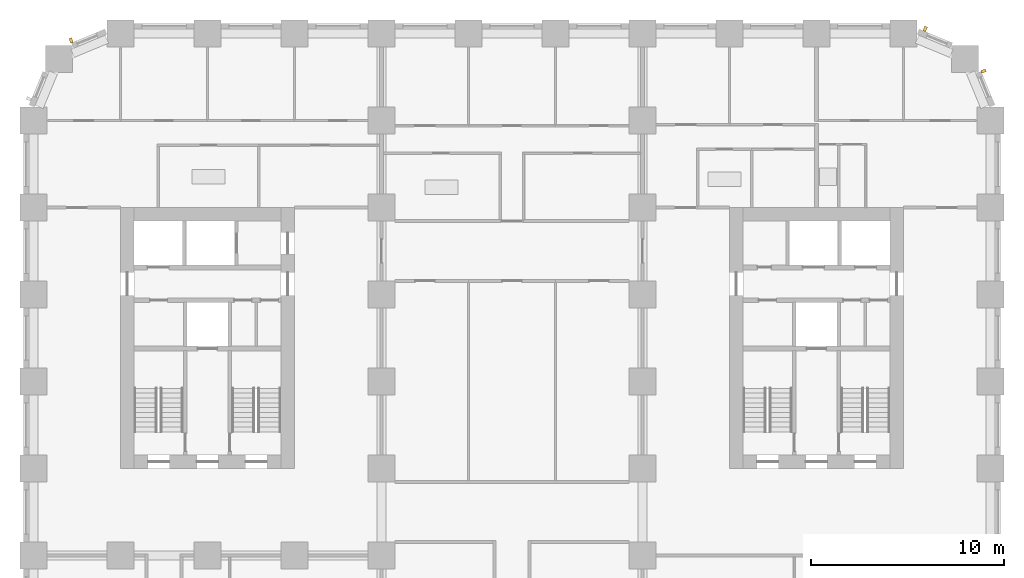
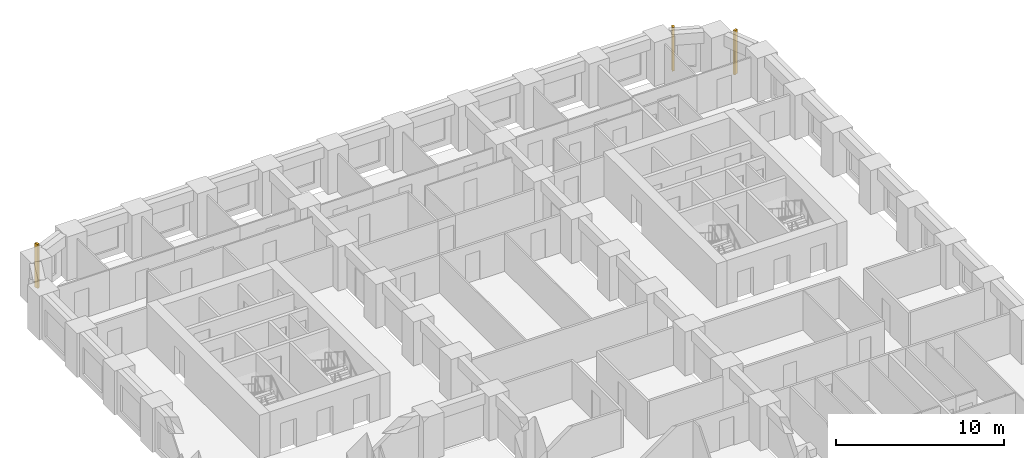
# One storey, part 12 of 13: 3 shading devices.
"""IFC4 building model written with IfcOpenShell, lengths in metres."""

from ifc_helpers import new_model, si_unit, direction, frame, origin, origin_2d, place, context, subcontext, project, spatial, rectangle, extrude, material, type_object, element, save


model = new_model("IFC4")

# Units and contexts
model_context = context("Model", 3, precision=1e-05, world=origin(), true_north=direction((0.0, 1.0)))
body_context = subcontext(model_context, "Body", "Model", "MODEL_VIEW")
ifc_project = project(units=[si_unit("LENGTHUNIT", "METRE"), si_unit("AREAUNIT", "SQUARE_METRE"), si_unit("VOLUMEUNIT", "CUBIC_METRE"), si_unit("PLANEANGLEUNIT", "RADIAN"), si_unit("MASSUNIT", "GRAM", prefix="KILO")], contexts=[model_context])

# Site, building, storey
site_placement = place(None, origin())
site = spatial("IfcSite", under=ifc_project, at=site_placement, CompositionType="ELEMENT")
building_placement = place(site_placement, origin())
building = spatial("IfcBuilding", under=site, at=building_placement, Name="Girih Gate Residences", CompositionType="ELEMENT")
storey_placement = place(building_placement, frame((0.0, 0.0, 52.800048828125)))
storey = spatial("IfcBuildingStorey", under=building, at=storey_placement, Name="L13", CompositionType="ELEMENT", Elevation=52.800048828125)

# Shading devices
ifc_material = material(Name="Precast concrete C50/60", Category="concrete")
shading_device_type = type_object("IfcShadingDeviceType", Name="Corner rib 150x250", PredefinedType="USERDEFINED", material=ifc_material)
for number, where, z_axis, x_axis, name in (
    (1, (49.14501953125, 47.5556640625, 0.0), (0.0, 0.0, 1.0), (-0.382683432365, 0.923879532511, 0.0), "Corner rib NE0495_0450.0"),
    (2, (46.123779296875, 49.738037109375, 0.0), (0.0, 0.0, 1.0), (-0.923879532511, 0.382683432365, 0.0), "Corner rib NE0482_0482.0"),
    (3, (1.9443359375, 49.14501953125, 0.0), (0.0, 0.0, 1.0), (-0.923879532511, -0.382683432365, 0.0), "Corner rib NW0045_0495.0"),
):
    element("IfcShadingDevice", number, at=place(storey_placement, frame(where, z_axis=z_axis, x_axis=x_axis)), inside=storey, type_object=shading_device_type, Name=name, ObjectType="FIN", PredefinedType="USERDEFINED", context=body_context, shape_type="SweptSolid", body=[
        extrude(rectangle(XDim=0.14990234375, YDim=0.25, at=origin_2d()), origin(), (0.0, 0.0, 1.0), 3.199951171875),
    ])

save(model, "model.ifc")
